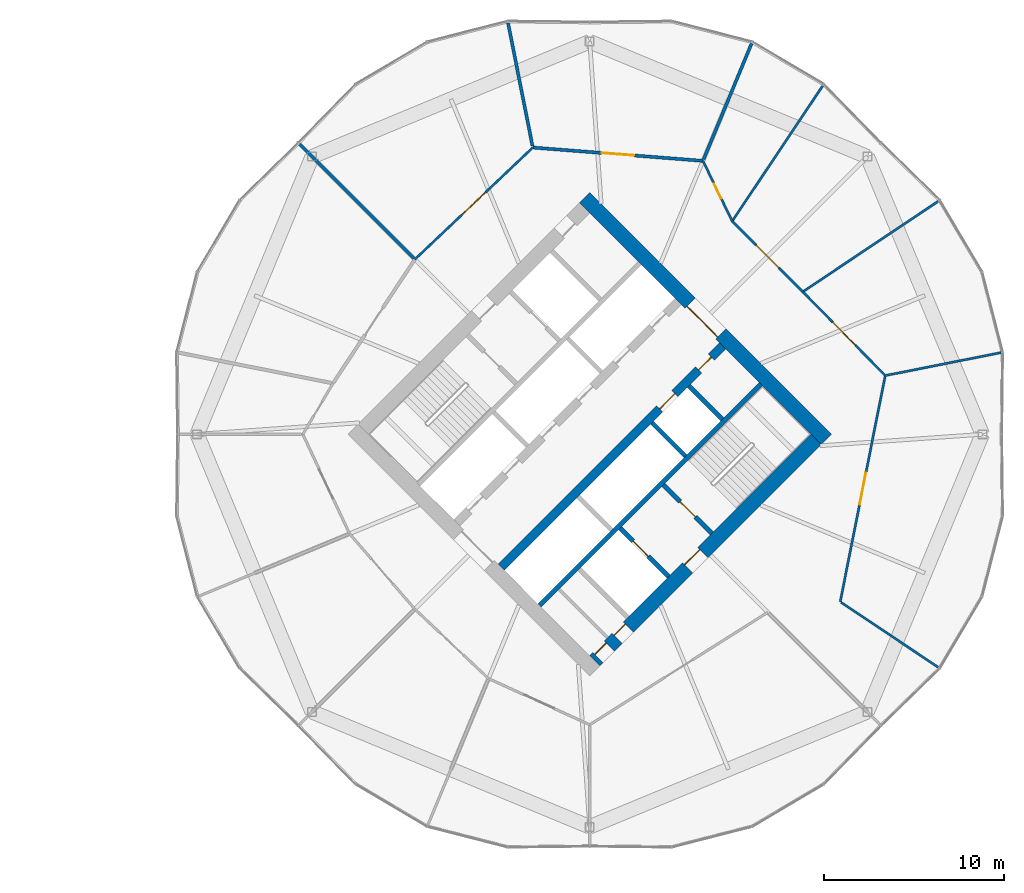
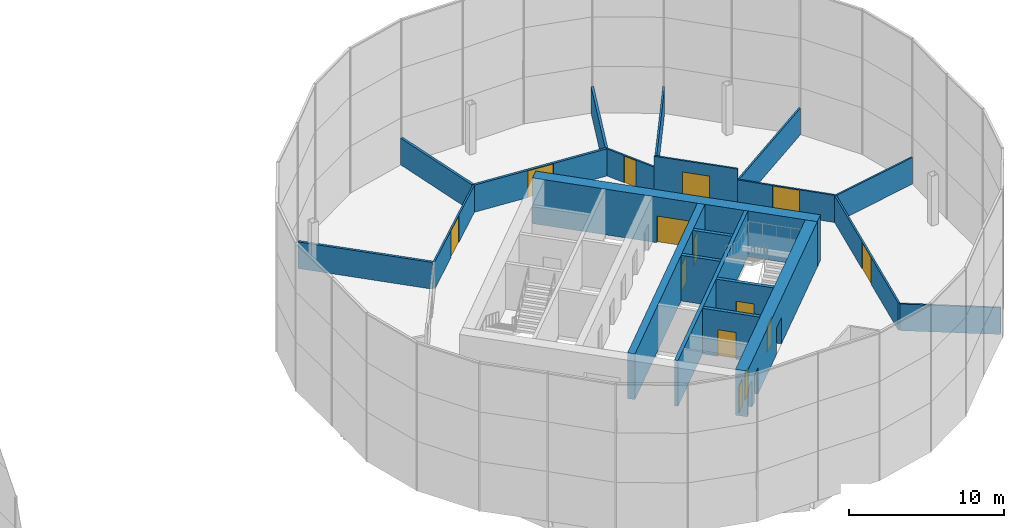
# One storey, part 23 of 25: 21 walls, 14 doors, 14 openings.
"""IFC4 building model written with IfcOpenShell, lengths in metres."""

import ifcopenshell
import ifcopenshell.guid

model = None  # the IFC model being written
_history = None  # IfcOwnerHistory: only IFC2X3 demands one
_inside = {}  # id of a spatial element -> (the spatial element, [elements in it])
_under = {}  # id of a project, library or spatial element -> (it, [spatial elements below it])
_declared = {}  # id of a project -> (the project, [libraries it declares])
_typed = {}  # id of a type object -> (the type object, [elements of that type])
_made_of = {}  # id of a material, layer set ... -> (it, [elements and type objects made of it])


def new_model(schema):
    """Start an empty IFC model of exactly this schema.

    Asked for "IFC4X3", IfcOpenShell would pick the latest addendum, in which some entities
    have other attributes; the version numbers below select the first issue.
    IFC2X3 requires an IfcOwnerHistory on every rooted entity: one is made here for all.
    """
    global model, _history
    if schema == "IFC4X3":
        model = ifcopenshell.file(schema_version=(4, 3, 0, 0))
    else:
        model = ifcopenshell.file(schema=schema)
    _inside.clear()
    _under.clear()
    _declared.clear()
    _typed.clear()
    _made_of.clear()
    _history = None
    if model.schema == "IFC2X3":
        org = make("IfcOrganization", Name="unknown")
        user = make(
            "IfcPersonAndOrganization",
            ThePerson=make("IfcPerson", FamilyName="unknown"),
            TheOrganization=org,
        )
        app = make(
            "IfcApplication",
            ApplicationDeveloper=org,
            Version="unknown",
            ApplicationFullName="unknown",
            ApplicationIdentifier="unknown",
        )
        _history = make(
            "IfcOwnerHistory",
            OwningUser=user,
            OwningApplication=app,
            ChangeAction="ADDED",
            CreationDate=0,
        )
    return model


def make(cls, **values):
    """One entity of the class cls with the attributes given. An attribute that is None is left unset."""
    return model.create_entity(
        cls, **{name: value for name, value in values.items() if value is not None}
    )


def rooted(cls, **values):
    """An entity with a GlobalId (a new one), such as an element, a storey or a relation."""
    return make(cls, GlobalId=ifcopenshell.guid.new(), OwnerHistory=_history, **values)


def si_unit(unit_type, name, prefix=None):
    """IfcSIUnit, for example si_unit("LENGTHUNIT", "METRE", prefix="MILLI")."""
    return make("IfcSIUnit", UnitType=unit_type, Prefix=prefix, Name=name)


def assignment(units):
    """IfcUnitAssignment: the units of a project."""
    return None if units is None else make("IfcUnitAssignment", Units=units)


def point(xyz):
    """IfcCartesianPoint."""
    return None if xyz is None else make("IfcCartesianPoint", Coordinates=xyz)


def direction(xyz):
    """IfcDirection."""
    return None if xyz is None else make("IfcDirection", DirectionRatios=xyz)


def frame(location, z_axis=None, x_axis=None):
    """IfcAxis2Placement3D, a coordinate frame: its origin and axes. An axis left out is left unset."""
    return make(
        "IfcAxis2Placement3D",
        Location=point(location),
        Axis=direction(z_axis),
        RefDirection=direction(x_axis),
    )


def frame_2d(location, x_axis=None):
    """IfcAxis2Placement2D, a coordinate frame in the plane: its origin and x axis."""
    return make(
        "IfcAxis2Placement2D", Location=point(location), RefDirection=direction(x_axis)
    )


def origin():
    """The frame at (0, 0, 0) with its axes left unset."""
    return frame((0.0, 0.0, 0.0))


def place(relative_to, where):
    """IfcLocalPlacement: puts the frame where relative to a parent placement (None: the world)."""
    return make(
        "IfcLocalPlacement", PlacementRelTo=relative_to, RelativePlacement=where
    )


def context(
    kind, dimensions, precision=None, world=None, true_north=None, identifier=None
):
    """IfcGeometricRepresentationContext, for example the 3D "Model" context."""
    return make(
        "IfcGeometricRepresentationContext",
        ContextIdentifier=identifier,
        ContextType=kind,
        CoordinateSpaceDimension=dimensions,
        Precision=precision,
        WorldCoordinateSystem=world,
        TrueNorth=true_north,
    )


def subcontext(parent, identifier, kind, view, scale=None):
    """IfcGeometricRepresentationSubContext, for example "Body" below "Model"."""
    return make(
        "IfcGeometricRepresentationSubContext",
        ContextIdentifier=identifier,
        ContextType=kind,
        ParentContext=parent,
        TargetScale=scale,
        TargetView=view,
    )


def project(units=None, contexts=None):
    """IfcProject with its units and contexts."""
    return rooted(
        "IfcProject",
        Name="project",
        RepresentationContexts=contexts,
        UnitsInContext=assignment(units),
    )


def spatial(cls, under=None, at=None, **own):
    """A site, building, storey or space (cls), placed at a placement, below another one or the project."""
    s = rooted(cls, ObjectPlacement=at, **own)
    if under is not None:
        _under.setdefault(under.id(), (under, []))[1].append(s)
    return s


def profile(cls, at=None, kind="AREA", **sizes):
    """A parametric profile (cls). Its sizes go by their IFC names, for example OverallWidth=200.0."""
    return make(cls, ProfileType=kind, Position=at, **sizes)


def rectangle(**sizes):
    """IfcRectangleProfileDef."""
    return profile("IfcRectangleProfileDef", **sizes)


def extrude(swept, where, along, depth):
    """IfcExtrudedAreaSolid: the profile swept, set in the frame where, extruded along a direction by depth."""
    return make(
        "IfcExtrudedAreaSolid",
        SweptArea=swept,
        Position=where,
        ExtrudedDirection=direction(along),
        Depth=depth,
    )


def shape(context_of_items, identifier, shape_type, items):
    """IfcShapeRepresentation: the items that make up one representation, for example the "Body"."""
    return make(
        "IfcShapeRepresentation",
        ContextOfItems=context_of_items,
        RepresentationIdentifier=identifier,
        RepresentationType=shape_type,
        Items=items,
    )


def material(Name=None, Category=None):
    """IfcMaterial."""
    return make("IfcMaterial", Name=Name, Category=Category)


def layer(
    of_material, thickness, ventilated=None, Name=None, Category=None, Priority=None
):
    """IfcMaterialLayer: one layer of a wall or slab, of a material (None: an air gap)."""
    return make(
        "IfcMaterialLayer",
        Material=of_material,
        LayerThickness=thickness,
        IsVentilated=ventilated,
        Name=Name,
        Category=Category,
        Priority=Priority,
    )


def layer_set(layers, Name=None):
    """IfcMaterialLayerSet."""
    return make("IfcMaterialLayerSet", MaterialLayers=layers, LayerSetName=Name)


def made_of(thing, what):
    """Note that an element or type object is made of a material, layer set ...; save() writes the relation."""
    if what is not None:
        _made_of.setdefault(what.id(), (what, []))[1].append(thing)
    return thing


def type_object(cls, material=None, **own):
    """A type object (cls), such as IfcWallType, which elements share."""
    return made_of(rooted(cls, **own), material)


def element(
    cls,
    number,
    at=None,
    inside=None,
    cuts=None,
    type_object=None,
    material=None,
    context=None,
    identifier="Body",
    shape_type=None,
    held_by="IfcProductDefinitionShape",
    body=None,
    shapes=None,
    **own,
):
    """One element of the class cls, such as IfcWall. Its Tag is "e" and its number.

    at: its placement. inside: the storey or other place that contains it. cuts: it is an
    opening in that element (IfcRelVoidsElement). A single representation is given by context,
    identifier, shape_type and body (its items); several are given by shapes. held_by: the class
    of the entity that holds the representations. save() writes the other relations.
    """
    e = rooted(cls, Tag="e%d" % number, ObjectPlacement=at, **own)
    if body is not None:
        shapes = [shape(context, identifier, shape_type, body)]
    if shapes is not None:
        e.Representation = make(held_by, Representations=shapes)
    if inside is not None:
        _inside.setdefault(inside.id(), (inside, []))[1].append(e)
    if cuts is not None:
        rooted(
            "IfcRelVoidsElement", RelatingBuildingElement=cuts, RelatedOpeningElement=e
        )
    if type_object is not None:
        _typed.setdefault(type_object.id(), (type_object, []))[1].append(e)
    return made_of(e, material)


def fill(opening, filler):
    """IfcRelFillsElement: the door or window that sits in an opening."""
    return rooted(
        "IfcRelFillsElement",
        RelatingOpeningElement=opening,
        RelatedBuildingElement=filler,
    )


def aggregate(whole, parts):
    """IfcRelAggregates: a whole, such as a stair, and the parts it consists of."""
    return rooted("IfcRelAggregates", RelatingObject=whole, RelatedObjects=parts)


def save(model, path):
    """Write the relations noted so far, then the file.

    IfcRelAggregates (storeys below a building ...), IfcRelContainedInSpatialStructure (elements
    in a storey), IfcRelDefinesByType, IfcRelAssociatesMaterial and IfcRelDeclares: one each for
    every whole, place, type object, material and project.
    """
    for whole, parts in _under.values():
        aggregate(whole, parts)
    for where, things in _inside.values():
        rooted(
            "IfcRelContainedInSpatialStructure",
            RelatedElements=things,
            RelatingStructure=where,
        )
    for kind, things in _typed.values():
        rooted("IfcRelDefinesByType", RelatedObjects=things, RelatingType=kind)
    for what, things in _made_of.values():
        rooted("IfcRelAssociatesMaterial", RelatedObjects=things, RelatingMaterial=what)
    for by, libraries in _declared.values():
        rooted("IfcRelDeclares", RelatingContext=by, RelatedDefinitions=libraries)
    model.write(path)


model = new_model("IFC4")

# Units and contexts
model_context = context("Model", 3, precision=1e-05, world=origin(), true_north=direction((0.0, 1.0)))
body_context = subcontext(model_context, "Body", "Model", "MODEL_VIEW")
ifc_project = project(units=[si_unit("LENGTHUNIT", "METRE"), si_unit("AREAUNIT", "SQUARE_METRE"), si_unit("VOLUMEUNIT", "CUBIC_METRE"), si_unit("PLANEANGLEUNIT", "RADIAN"), si_unit("MASSUNIT", "GRAM", prefix="KILO")], contexts=[model_context])

# Site, building, storey
site_placement = place(None, origin())
site = spatial("IfcSite", under=ifc_project, at=site_placement, CompositionType="ELEMENT")
building_placement = place(site_placement, origin())
building = spatial("IfcBuilding", under=site, at=building_placement, Name="Ogive Gate Towers", CompositionType="ELEMENT")
storey_placement = place(building_placement, frame((0.0, 0.0, 44.10009765625)))
storey = spatial("IfcBuildingStorey", under=building, at=storey_placement, Name="L09", CompositionType="ELEMENT", Elevation=44.10009765625)

# Walls
ifc_material_1 = material(Name="Gypsum board acoustic partition")
ifc_layer_1 = layer(ifc_material_1, 0.175048828125)
ifc_layer_set_1 = layer_set([ifc_layer_1], Name="Acoustic partition 175")
wall_type_1 = type_object("IfcWallType", Name="Acoustic partition 175", PredefinedType="PARTITIONING", material=ifc_layer_set_1)
wall_1_placement = place(storey_placement, frame((44.992919921875, 21.711181640625, 0.0), z_axis=(0.0, 0.0, 1.0), x_axis=(-0.382672432362, -0.923884088785, 0.0)))
element("IfcWall", 1, at=wall_1_placement, inside=storey, type_object=wall_type_1, Name="Partition T2-L09-004", PredefinedType="PARTITIONING", context=body_context, shape_type="SweptSolid", body=[
    extrude(rectangle(XDim=6.97119140625, YDim=0.175048828125, at=frame_2d((3.485595703125, 0.0))), origin(), (0.0, 0.0, 1.0), 2.099853515625),
])
wall_2_placement = place(storey_placement, frame((31.4619140625, 22.853271484375, 0.0), z_axis=(0.0, 0.0, 1.0), x_axis=(0.194782491391, -0.980846461505, 0.0)))
element("IfcWall", 2, at=wall_2_placement, inside=storey, type_object=wall_type_1, Name="Partition T2-L09-005", PredefinedType="PARTITIONING", context=body_context, shape_type="SweptSolid", body=[
    extrude(rectangle(XDim=6.971435546875, YDim=0.175048828125, at=frame_2d((3.48583984375, 0.0))), origin(), (0.0, 0.0, 1.0), 2.099853515625),
])
wall_3_placement = place(storey_placement, frame((19.878662109375, 16.121337890625, 0.0), z_axis=(0.0, 0.0, 1.0), x_axis=(0.707106781187, -0.707106781187, 0.0)))
element("IfcWall", 3, at=wall_3_placement, inside=storey, type_object=wall_type_1, Name="Partition T2-L09-006", PredefinedType="PARTITIONING", context=body_context, shape_type="SweptSolid", body=[
    extrude(rectangle(XDim=8.971435546875, YDim=0.175048828125, at=frame_2d((4.48583984375, 0.0))), origin(), (0.0, 0.0, 1.0), 2.099853515625),
])

# Wall, opening, door
wall_4_placement = place(storey_placement, frame((42.291748046875, 15.189453125, 0.0), z_axis=(0.0, 0.0, 1.0), x_axis=(-0.996951230923, 0.078027195004, 0.0)))
wall_4 = element("IfcWall", 4, at=wall_4_placement, inside=storey, type_object=wall_type_1, Name="Partition T2-L09-019", PredefinedType="PARTITIONING", context=body_context, shape_type="SweptSolid", body=[
    extrude(rectangle(XDim=9.483642578125, YDim=0.175048828125, at=frame_2d((4.74169921875, 0.0))), origin(), (0.0, 0.0, 1.0), 2.139892578125),
])
opening_1_placement = place(wall_4_placement, frame((3.842041015625, 0.0, 0.0)))
opening_1 = element("IfcOpeningElement", 5, at=opening_1_placement, cuts=wall_4, Name="Opening T2-L09-D05", PredefinedType="OPENING", context=body_context, shape_type="SweptSolid", body=[
    extrude(rectangle(XDim=1.800048828125, YDim=2.10009765625, at=frame_2d((0.89990234375, 1.050048828125))), frame((0.0, 0.09765625, 0.0), z_axis=(0.0, -1.0, 0.0), x_axis=(1.0, 0.0, 0.0)), (0.0, 0.0, 1.0), 0.195068359375),
])
ifc_material_2 = material(Name="Timber door", Category="wood")
door_type_1 = type_object("IfcDoorType", Name="Door pair 1800", OperationType="NOTDEFINED", PredefinedType="DOOR", material=ifc_material_2)
door_1_placement = place(opening_1_placement, origin())
door_1 = element("IfcDoor", 6, at=door_1_placement, inside=storey, type_object=door_type_1, Name="Door T2-L09-D05", OperationType="DOUBLE_DOOR_DOUBLE_SWING", OverallHeight=2.10009765625, OverallWidth=1.800048828125, PredefinedType="DOOR", context=body_context, shape_type="SweptSolid", body=[
    extrude(rectangle(XDim=1.800048828125, YDim=2.10009765625, at=frame_2d((0.89990234375, 1.050048828125))), frame((0.0, 0.02490234375, 0.0), z_axis=(0.0, -1.0, 0.0), x_axis=(1.0, 0.0, 0.0)), (0.0, 0.0, 1.0), 0.050048828125),
])
fill(opening_1, door_1)

# Wall, openings, doors
ifc_material_3 = material(Name="Concrete C60/75", Category="concrete")
ifc_layer_2 = layer(ifc_material_3, 0.800048828125)
ifc_layer_set_2 = layer_set([ifc_layer_2], Name="Core wall 800 mm")
wall_type_2 = type_object("IfcWallType", Name="Core wall 800 mm", PredefinedType="SHEAR", material=ifc_layer_set_2)
wall_5_placement = place(storey_placement, frame((36.28271484375, -12.58642578125, 0.0), z_axis=(0.0, 0.0, 1.0), x_axis=(0.707106781187, 0.707106781187, 0.0)))
wall_5 = element("IfcWall", 7, at=wall_5_placement, inside=storey, type_object=wall_type_2, Name="T2 L09 Core wall 800 mm", PredefinedType="SHEAR", context=body_context, shape_type="SweptSolid", body=[
    extrude(rectangle(XDim=17.400146484375, YDim=0.800048828125, at=frame_2d((8.7001953125, 0.0))), origin(), (0.0, 0.0, 1.0), 3.599853515625),
])
opening_2_placement = place(wall_5_placement, frame((7.300048828125, 0.0, 0.0)))
opening_2 = element("IfcOpeningElement", 8, at=opening_2_placement, cuts=wall_5, Name="Opening KD-T2-L09-16", PredefinedType="OPENING", context=body_context, shape_type="SweptSolid", body=[
    extrude(rectangle(XDim=1.199951171875, YDim=2.10009765625, at=frame_2d((0.60009765625, 1.050048828125))), frame((0.0, 0.41015625, 0.0), z_axis=(0.0, -1.0, 0.0), x_axis=(1.0, 0.0, 0.0)), (0.0, 0.0, 1.0), 0.820068359375),
])
opening_3_placement = place(wall_5_placement, frame((0.25, 0.0, 0.0)))
opening_3 = element("IfcOpeningElement", 9, at=opening_3_placement, cuts=wall_5, Name="Opening KD-T2-L09-18", PredefinedType="OPENING", context=body_context, shape_type="SweptSolid", body=[
    extrude(rectangle(XDim=0.89990234375, YDim=2.10009765625, at=frame_2d((0.449951171875, 1.050048828125))), frame((0.0, 0.41015625, 0.0), z_axis=(0.0, -1.0, 0.0), x_axis=(1.0, 0.0, 0.0)), (0.0, 0.0, 1.0), 0.820068359375),
])
opening_4_placement = place(wall_5_placement, frame((1.75, 0.0, 0.0)))
opening_4 = element("IfcOpeningElement", 10, at=opening_4_placement, cuts=wall_5, Name="Opening KD-T2-L09-19", PredefinedType="OPENING", context=body_context, shape_type="SweptSolid", body=[
    extrude(rectangle(XDim=0.89990234375, YDim=2.10009765625, at=frame_2d((0.449951171875, 1.050048828125))), frame((0.0, 0.41015625, 0.0), z_axis=(0.0, -1.0, 0.0), x_axis=(1.0, 0.0, 0.0)), (0.0, 0.0, 1.0), 0.820068359375),
])
door_type_2 = type_object("IfcDoorType", Name="Core WC door 900 x 2100", OperationType="NOTDEFINED", PredefinedType="DOOR", material=ifc_material_2)
door_2_placement = place(opening_3_placement, origin())
door_2 = element("IfcDoor", 11, at=door_2_placement, inside=storey, type_object=door_type_2, Name="T2 L09 Core door", OperationType="SINGLE_SWING_LEFT", OverallHeight=2.10009765625, OverallWidth=0.89990234375, PredefinedType="DOOR", context=body_context, shape_type="SweptSolid", body=[
    extrude(rectangle(XDim=0.89990234375, YDim=2.10009765625, at=frame_2d((0.449951171875, 1.050048828125))), frame((0.0, 0.27490234375, 0.0), z_axis=(0.0, -1.0, 0.0), x_axis=(1.0, 0.0, 0.0)), (0.0, 0.0, 1.0), 0.050048828125),
])
fill(opening_3, door_2)
door_3_placement = place(opening_4_placement, origin())
door_3 = element("IfcDoor", 12, at=door_3_placement, inside=storey, type_object=door_type_2, Name="T2 L09 Core door", OperationType="SINGLE_SWING_RIGHT", OverallHeight=2.10009765625, OverallWidth=0.89990234375, PredefinedType="DOOR", context=body_context, shape_type="SweptSolid", body=[
    extrude(rectangle(XDim=0.89990234375, YDim=2.10009765625, at=frame_2d((0.449951171875, 1.050048828125))), frame((0.0, 0.27490234375, 0.0), z_axis=(0.0, -1.0, 0.0), x_axis=(1.0, 0.0, 0.0)), (0.0, 0.0, 1.0), 0.050048828125),
])
fill(opening_4, door_3)
ifc_material_4 = material(Name="Steel fire door", Category="steel")
door_type_3 = type_object("IfcDoorType", Name="Core door FD60S 1200 x 2100", OperationType="NOTDEFINED", PredefinedType="DOOR", material=ifc_material_4)
door_4_placement = place(opening_2_placement, origin())
door_4 = element("IfcDoor", 13, at=door_4_placement, inside=storey, type_object=door_type_3, Name="T2 L09 Fire-fighting lobby door", OperationType="SINGLE_SWING_LEFT", OverallHeight=2.10009765625, OverallWidth=1.199951171875, PredefinedType="DOOR", context=body_context, shape_type="SweptSolid", body=[
    extrude(rectangle(XDim=1.199951171875, YDim=2.10009765625, at=frame_2d((0.60009765625, 1.050048828125))), frame((0.0, 0.27490234375, 0.0), z_axis=(0.0, -1.0, 0.0), x_axis=(1.0, 0.0, 0.0)), (0.0, 0.0, 1.0), 0.050048828125),
])
fill(opening_2, door_4)

# Wall, opening, door
wall_6_placement = place(storey_placement, frame((49.152099609375, -0.28271484375, 0.0), z_axis=(0.0, 0.0, 1.0), x_axis=(-0.707106781187, 0.707106781187, 0.0)))
wall_6 = element("IfcWall", 14, at=wall_6_placement, inside=storey, type_object=wall_type_2, Name="T2 L09 Core wall 800 mm", PredefinedType="SHEAR", context=body_context, shape_type="SweptSolid", body=[
    extrude(rectangle(XDim=18.999755859375, YDim=0.800048828125, at=frame_2d((9.5, 0.0))), origin(), (0.0, 0.0, 1.0), 3.599853515625),
])
opening_5_placement = place(wall_6_placement, frame((8.300048828125, 0.0, 0.0)))
opening_5 = element("IfcOpeningElement", 15, at=opening_5_placement, cuts=wall_6, Name="Opening KD-T2-L09-02", PredefinedType="OPENING", context=body_context, shape_type="SweptSolid", body=[
    extrude(rectangle(XDim=2.39990234375, YDim=2.10009765625, at=frame_2d((1.199951171875, 1.050048828125))), frame((0.0, 0.41015625, 0.0), z_axis=(0.0, -1.0, 0.0), x_axis=(1.0, 0.0, 0.0)), (0.0, 0.0, 1.0), 0.820068359375),
])
door_type_4 = type_object("IfcDoorType", Name="Core double door FD60S 2400 x 2100", OperationType="DOUBLE_DOOR_SINGLE_SWING", PredefinedType="DOOR", material=ifc_material_4)
door_5_placement = place(opening_5_placement, origin())
door_5 = element("IfcDoor", 16, at=door_5_placement, inside=storey, type_object=door_type_4, Name="T2 L09 Core door double", OperationType="DOUBLE_DOOR_SINGLE_SWING", OverallHeight=2.10009765625, OverallWidth=2.39990234375, PredefinedType="DOOR", context=body_context, shape_type="SweptSolid", body=[
    extrude(rectangle(XDim=2.39990234375, YDim=2.10009765625, at=frame_2d((1.199951171875, 1.050048828125))), frame((0.0, 0.27490234375, 0.0), z_axis=(0.0, -1.0, 0.0), x_axis=(1.0, 0.0, 0.0)), (0.0, 0.0, 1.0), 0.050048828125),
])
fill(opening_5, door_5)

# Walls
ifc_material_5 = material(Name="Gypsum board partition")
ifc_layer_3 = layer(ifc_material_5, 0.125)
ifc_layer_set_3 = layer_set([ifc_layer_3], Name="Partition 125")
wall_type_3 = type_object("IfcWallType", Name="Partition 125", PredefinedType="PARTITIONING", material=ifc_layer_set_3)
wall_7_placement = place(storey_placement, frame((58.853271484375, 4.5380859375, 0.0), z_axis=(0.0, 0.0, 1.0), x_axis=(-0.980847162867, -0.194778959584, 0.0)))
element("IfcWall", 17, at=wall_7_placement, inside=storey, type_object=wall_type_3, Name="Partition T2-L09-001", PredefinedType="PARTITIONING", context=body_context, shape_type="SweptSolid", body=[
    extrude(rectangle(XDim=6.49658203125, YDim=0.125, at=frame_2d((3.248291015625, 0.0))), origin(), (0.0, 0.0, 1.0), 2.099853515625),
])
for number, where, z_axis, x_axis, name in (
    (18, (55.36865234375, 12.950927734375, 0.0), (0.0, 0.0, 1.0), (-0.831285496236, -0.555845683394, 0.0), "Partition T2-L09-002"),
    (19, (48.950927734375, 19.36865234375, 0.0), (0.0, 0.0, 1.0), (-0.555845683394, -0.831285496236, 0.0), "Partition T2-L09-003"),
):
    element("IfcWall", number, at=place(storey_placement, frame(where, z_axis=z_axis, x_axis=x_axis)), inside=storey, type_object=wall_type_3, Name=name, PredefinedType="PARTITIONING", context=body_context, shape_type="SweptSolid", body=[
        extrude(rectangle(XDim=8.99658203125, YDim=0.125, at=frame_2d((4.498291015625, 0.0))), origin(), (0.0, 0.0, 1.0), 2.099853515625),
    ])
wall_8_placement = place(storey_placement, frame((55.36865234375, -12.950927734375, 0.0), z_axis=(0.0, 0.0, 1.0), x_axis=(-0.831280540128, 0.555853095345, 0.0)))
element("IfcWall", 20, at=wall_8_placement, inside=storey, type_object=wall_type_3, Name="Partition T2-L09-014", PredefinedType="PARTITIONING", context=body_context, shape_type="SweptSolid", body=[
    extrude(rectangle(XDim=6.49658203125, YDim=0.125, at=frame_2d((3.248291015625, 0.0))), origin(), (0.0, 0.0, 1.0), 2.099853515625),
])

# Wall, opening, door
wall_9_placement = place(storey_placement, frame((49.916259765625, -9.30517578125, 0.0), z_axis=(0.0, 0.0, 1.0), x_axis=(0.195405199442, 0.980722594841, 0.0)))
wall_9 = element("IfcWall", 21, at=wall_9_placement, inside=storey, type_object=wall_type_3, Name="Partition T2-L09-015", PredefinedType="PARTITIONING", context=body_context, shape_type="SweptSolid", body=[
    extrude(rectangle(XDim=12.812744140625, YDim=0.125, at=frame_2d((6.40625, 0.0))), origin(), (0.0, 0.0, 1.0), 2.139892578125),
])
opening_6_placement = place(wall_9_placement, frame((5.506103515625, 0.0, 0.0)))
opening_6 = element("IfcOpeningElement", 22, at=opening_6_placement, cuts=wall_9, Name="Opening T2-L09-D01", PredefinedType="OPENING", context=body_context, shape_type="SweptSolid", body=[
    extrude(rectangle(XDim=1.800048828125, YDim=2.10009765625, at=frame_2d((0.89990234375, 1.050048828125))), frame((0.0, 0.072509765625, 0.0), z_axis=(0.0, -1.0, 0.0), x_axis=(1.0, 0.0, 0.0)), (0.0, 0.0, 1.0), 0.14501953125),
])
door_6_placement = place(opening_6_placement, origin())
door_6 = element("IfcDoor", 23, at=door_6_placement, inside=storey, type_object=door_type_1, Name="Door T2-L09-D01", OperationType="DOUBLE_DOOR_DOUBLE_SWING", OverallHeight=2.10009765625, OverallWidth=1.800048828125, PredefinedType="DOOR", context=body_context, shape_type="SweptSolid", body=[
    extrude(rectangle(XDim=1.800048828125, YDim=2.10009765625, at=frame_2d((0.89990234375, 1.050048828125))), frame((0.0, 0.02490234375, 0.0), z_axis=(0.0, -1.0, 0.0), x_axis=(1.0, 0.0, 0.0)), (0.0, 0.0, 1.0), 0.050048828125),
])
fill(opening_6, door_6)

wall_10_placement = place(storey_placement, frame((52.419921875, 3.260498046875, 0.0), z_axis=(0.0, 0.0, 1.0), x_axis=(-0.701496798252, 0.712672605087, 0.0)))
wall_10 = element("IfcWall", 24, at=wall_10_placement, inside=storey, type_object=wall_type_3, Name="Partition T2-L09-016", PredefinedType="PARTITIONING", context=body_context, shape_type="SweptSolid", body=[
    extrude(rectangle(XDim=6.53173828125, YDim=0.125, at=frame_2d((3.265869140625, 0.0))), origin(), (0.0, 0.0, 1.0), 2.139892578125),
])
opening_7_placement = place(wall_10_placement, frame((2.365966796875, 0.0, 0.0)))
opening_7 = element("IfcOpeningElement", 25, at=opening_7_placement, cuts=wall_10, Name="Opening T2-L09-D02", PredefinedType="OPENING", context=body_context, shape_type="SweptSolid", body=[
    extrude(rectangle(XDim=1.800048828125, YDim=2.10009765625, at=frame_2d((0.89990234375, 1.050048828125))), frame((0.0, 0.072509765625, 0.0), z_axis=(0.0, -1.0, 0.0), x_axis=(1.0, 0.0, 0.0)), (0.0, 0.0, 1.0), 0.14501953125),
])
door_7_placement = place(opening_7_placement, origin())
door_7 = element("IfcDoor", 26, at=door_7_placement, inside=storey, type_object=door_type_1, Name="Door T2-L09-D02", OperationType="DOUBLE_DOOR_DOUBLE_SWING", OverallHeight=2.10009765625, OverallWidth=1.800048828125, PredefinedType="DOOR", context=body_context, shape_type="SweptSolid", body=[
    extrude(rectangle(XDim=1.800048828125, YDim=2.10009765625, at=frame_2d((0.89990234375, 1.050048828125))), frame((0.0, 0.02490234375, 0.0), z_axis=(0.0, -1.0, 0.0), x_axis=(1.0, 0.0, 0.0)), (0.0, 0.0, 1.0), 0.050048828125),
])
fill(opening_7, door_7)

wall_11_placement = place(storey_placement, frame((47.837890625, 7.91552734375, 0.0), z_axis=(0.0, 0.0, 1.0), x_axis=(-0.707106781187, 0.707106781187, 0.0)))
wall_11 = element("IfcWall", 27, at=wall_11_placement, inside=storey, type_object=wall_type_3, Name="Partition T2-L09-017", PredefinedType="PARTITIONING", context=body_context, shape_type="SweptSolid", body=[
    extrude(rectangle(XDim=5.547119140625, YDim=0.125, at=frame_2d((2.7734375, 0.0))), origin(), (0.0, 0.0, 1.0), 3.0),
])
opening_8_placement = place(wall_11_placement, frame((1.8740234375, 0.0, 0.0)))
opening_8 = element("IfcOpeningElement", 28, at=opening_8_placement, cuts=wall_11, Name="Opening T2-L09-D03", PredefinedType="OPENING", context=body_context, shape_type="SweptSolid", body=[
    extrude(rectangle(XDim=1.800048828125, YDim=2.10009765625, at=frame_2d((0.89990234375, 1.050048828125))), frame((0.0, 0.072509765625, 0.0), z_axis=(0.0, -1.0, 0.0), x_axis=(1.0, 0.0, 0.0)), (0.0, 0.0, 1.0), 0.14501953125),
])
door_8_placement = place(opening_8_placement, origin())
door_8 = element("IfcDoor", 29, at=door_8_placement, inside=storey, type_object=door_type_1, Name="Door T2-L09-D03", OperationType="DOUBLE_DOOR_DOUBLE_SWING", OverallHeight=2.10009765625, OverallWidth=1.800048828125, PredefinedType="DOOR", context=body_context, shape_type="SweptSolid", body=[
    extrude(rectangle(XDim=1.800048828125, YDim=2.10009765625, at=frame_2d((0.89990234375, 1.050048828125))), frame((0.0, 0.02490234375, 0.0), z_axis=(0.0, -1.0, 0.0), x_axis=(1.0, 0.0, 0.0)), (0.0, 0.0, 1.0), 0.050048828125),
])
fill(opening_8, door_8)

wall_12_placement = place(storey_placement, frame((43.91552734375, 11.837890625, 0.0), z_axis=(0.0, 0.0, 1.0), x_axis=(-0.436008098367, 0.8999427416, 0.0)))
wall_12 = element("IfcWall", 30, at=wall_12_placement, inside=storey, type_object=wall_type_3, Name="Partition T2-L09-018", PredefinedType="PARTITIONING", context=body_context, shape_type="SweptSolid", body=[
    extrude(rectangle(XDim=3.72412109375, YDim=0.125, at=frame_2d((1.862060546875, 0.0))), origin(), (0.0, 0.0, 1.0), 2.139892578125),
])
opening_9_placement = place(wall_12_placement, frame((1.412109375, 0.0, 0.0)))
opening_9 = element("IfcOpeningElement", 31, at=opening_9_placement, cuts=wall_12, Name="Opening T2-L09-D04", PredefinedType="OPENING", context=body_context, shape_type="SweptSolid", body=[
    extrude(rectangle(XDim=0.89990234375, YDim=2.10009765625, at=frame_2d((0.449951171875, 1.050048828125))), frame((0.0, 0.072509765625, 0.0), z_axis=(0.0, -1.0, 0.0), x_axis=(1.0, 0.0, 0.0)), (0.0, 0.0, 1.0), 0.14501953125),
])
door_type_5 = type_object("IfcDoorType", Name="Door 900", OperationType="NOTDEFINED", PredefinedType="DOOR", material=ifc_material_2)
door_9_placement = place(opening_9_placement, origin())
door_9 = element("IfcDoor", 32, at=door_9_placement, inside=storey, type_object=door_type_5, Name="Door T2-L09-D04", OperationType="SINGLE_SWING_RIGHT", OverallHeight=2.10009765625, OverallWidth=0.89990234375, PredefinedType="DOOR", context=body_context, shape_type="SweptSolid", body=[
    extrude(rectangle(XDim=0.89990234375, YDim=2.10009765625, at=frame_2d((0.449951171875, 1.050048828125))), frame((0.0, 0.02490234375, 0.0), z_axis=(0.0, -1.0, 0.0), x_axis=(1.0, 0.0, 0.0)), (0.0, 0.0, 1.0), 0.050048828125),
])
fill(opening_9, door_9)

wall_13_placement = place(storey_placement, frame((32.8369140625, 15.929443359375, 0.0), z_axis=(0.0, 0.0, 1.0), x_axis=(-0.725607326649, -0.688109008453, 0.0)))
wall_13 = element("IfcWall", 33, at=wall_13_placement, inside=storey, type_object=wall_type_3, Name="Partition T2-L09-020", PredefinedType="PARTITIONING", context=body_context, shape_type="SweptSolid", body=[
    extrude(rectangle(XDim=9.0302734375, YDim=0.125, at=frame_2d((4.51513671875, 0.0))), origin(), (0.0, 0.0, 1.0), 2.139892578125),
])
opening_10_placement = place(wall_13_placement, frame((3.614990234375, 0.0, 0.0)))
opening_10 = element("IfcOpeningElement", 34, at=opening_10_placement, cuts=wall_13, Name="Opening T2-L09-D06", PredefinedType="OPENING", context=body_context, shape_type="SweptSolid", body=[
    extrude(rectangle(XDim=1.800048828125, YDim=2.10009765625, at=frame_2d((0.89990234375, 1.050048828125))), frame((0.0, 0.072509765625, 0.0), z_axis=(0.0, -1.0, 0.0), x_axis=(1.0, 0.0, 0.0)), (0.0, 0.0, 1.0), 0.14501953125),
])
door_10_placement = place(opening_10_placement, origin())
door_10 = element("IfcDoor", 35, at=door_10_placement, inside=storey, type_object=door_type_1, Name="Door T2-L09-D06", OperationType="DOUBLE_DOOR_DOUBLE_SWING", OverallHeight=2.10009765625, OverallWidth=1.800048828125, PredefinedType="DOOR", context=body_context, shape_type="SweptSolid", body=[
    extrude(rectangle(XDim=1.800048828125, YDim=2.10009765625, at=frame_2d((0.89990234375, 1.050048828125))), frame((0.0, 0.02490234375, 0.0), z_axis=(0.0, -1.0, 0.0), x_axis=(1.0, 0.0, 0.0)), (0.0, 0.0, 1.0), 0.050048828125),
])
fill(opening_10, door_10)

# Wall
ifc_layer_4 = layer(ifc_material_3, 0.25)
ifc_layer_set_4 = layer_set([ifc_layer_4], Name="Shaft wall 250 mm")
wall_type_4 = type_object("IfcWallType", Name="Shaft wall 250 mm", PredefinedType="SHEAR", material=ifc_layer_set_4)
wall_14_placement = place(storey_placement, frame((33.206787109375, -9.510498046875, 0.0), z_axis=(0.0, 0.0, 1.0), x_axis=(0.707106781187, 0.707106781187, 0.0)))
element("IfcWall", 36, at=wall_14_placement, inside=storey, type_object=wall_type_4, Name="T2 L09 Shaft wall 250 mm", PredefinedType="SHEAR", context=body_context, shape_type="SweptSolid", body=[
    extrude(rectangle(XDim=17.400146484375, YDim=0.25, at=frame_2d((8.7001953125, 0.0))), origin(), (0.0, 0.0, 1.0), 3.599853515625),
])

# Wall, opening, door
wall_15_placement = place(storey_placement, frame((40.384033203125, -7.919677734375, 0.0), z_axis=(0.0, 0.0, 1.0), x_axis=(-0.707074866995, 0.707138693938, 0.0)))
wall_15 = element("IfcWall", 37, at=wall_15_placement, inside=storey, type_object=wall_type_4, Name="T2 L09 Shaft wall 250 mm", PredefinedType="SHEAR", context=body_context, shape_type="SweptSolid", body=[
    extrude(rectangle(XDim=3.824951171875, YDim=0.25, at=frame_2d((1.91259765625, 0.0))), origin(), (0.0, 0.0, 1.0), 3.599853515625),
])
opening_11_placement = place(wall_15_placement, frame((1.60009765625, 0.0, 0.0)))
opening_11 = element("IfcOpeningElement", 38, at=opening_11_placement, cuts=wall_15, Name="Opening LD-T2-L09-11", PredefinedType="OPENING", context=body_context, shape_type="SweptSolid", body=[
    extrude(rectangle(XDim=1.199951171875, YDim=2.10009765625, at=frame_2d((0.60009765625, 1.050048828125))), frame((0.0, 0.135009765625, 0.0), z_axis=(0.0, -1.0, 0.0), x_axis=(1.0, 0.0, 0.0)), (0.0, 0.0, 1.0), 0.27001953125),
])
ifc_material_6 = material(Name="Stainless steel landing door", Category="steel")
door_type_6 = type_object("IfcDoorType", Name="Landing door 1200 x 2100", OperationType="SLIDING_TO_LEFT", PredefinedType="DOOR", material=ifc_material_6)
door_11_placement = place(opening_11_placement, origin())
door_11 = element("IfcDoor", 39, at=door_11_placement, inside=storey, type_object=door_type_6, Name="T2 L09 Lift landing door FF2", OperationType="SLIDING_TO_LEFT", OverallHeight=2.10009765625, OverallWidth=1.199951171875, PredefinedType="DOOR", context=body_context, shape_type="SweptSolid", body=[
    extrude(rectangle(XDim=1.199951171875, YDim=2.10009765625, at=frame_2d((0.60009765625, 1.050048828125))), frame((0.0, 0.02490234375, 0.0), z_axis=(0.0, -1.0, 0.0), x_axis=(1.0, 0.0, 0.0)), (0.0, 0.0, 1.0), 0.050048828125),
])
fill(opening_11, door_11)

wall_16_placement = place(storey_placement, frame((42.7880859375, -5.515380859375, 0.0), z_axis=(0.0, 0.0, 1.0), x_axis=(-0.707106781187, 0.707106781187, 0.0)))
wall_16 = element("IfcWall", 40, at=wall_16_placement, inside=storey, type_object=wall_type_4, Name="T2 L09 Shaft wall 250 mm", PredefinedType="SHEAR", context=body_context, shape_type="SweptSolid", body=[
    extrude(rectangle(XDim=3.824951171875, YDim=0.25, at=frame_2d((1.91259765625, 0.0))), origin(), (0.0, 0.0, 1.0), 3.599853515625),
])
opening_12_placement = place(wall_16_placement, frame((1.300048828125, 0.0, 0.0)))
opening_12 = element("IfcOpeningElement", 41, at=opening_12_placement, cuts=wall_16, Name="Opening KD-T2-L09-14", PredefinedType="OPENING", context=body_context, shape_type="SweptSolid", body=[
    extrude(rectangle(XDim=1.199951171875, YDim=2.10009765625, at=frame_2d((0.60009765625, 1.050048828125))), frame((0.0, 0.135009765625, 0.0), z_axis=(0.0, -1.0, 0.0), x_axis=(1.0, 0.0, 0.0)), (0.0, 0.0, 1.0), 0.27001953125),
])
door_12_placement = place(opening_12_placement, origin())
door_12 = element("IfcDoor", 42, at=door_12_placement, inside=storey, type_object=door_type_3, Name="T2 L09 Stair door", OperationType="SINGLE_SWING_LEFT", OverallHeight=2.10009765625, OverallWidth=1.199951171875, PredefinedType="DOOR", context=body_context, shape_type="SweptSolid", body=[
    extrude(rectangle(XDim=1.199951171875, YDim=2.10009765625, at=frame_2d((0.60009765625, 1.050048828125))), frame((0.0, 0.02490234375, 0.0), z_axis=(0.0, -1.0, 0.0), x_axis=(1.0, 0.0, 0.0)), (0.0, 0.0, 1.0), 0.050048828125),
])
fill(opening_12, door_12)

# Walls
for number, where, z_axis, x_axis, name in (
    (43, (41.321044921875, -1.2197265625, 0.0), (0.0, 0.0, 1.0), (-0.707106781187, 0.707106781187, 0.0), "T2 L09 Shaft wall 250 mm"),
    (44, (43.37158203125, 0.830810546875, 0.0), (0.0, 0.0, 1.0), (-0.707106781187, 0.707106781187, 0.0), "T2 L09 Shaft wall 250 mm"),
):
    element("IfcWall", number, at=place(storey_placement, frame(where, z_axis=z_axis, x_axis=x_axis)), inside=storey, type_object=wall_type_4, Name=name, PredefinedType="SHEAR", context=body_context, shape_type="SweptSolid", body=[
        extrude(rectangle(XDim=2.625, YDim=0.25, at=frame_2d((1.3125, 0.0))), origin(), (0.0, 0.0, 1.0), 3.599853515625),
    ])

# Wall, openings, doors
ifc_layer_5 = layer(ifc_material_3, 0.5)
ifc_layer_set_5 = layer_set([ifc_layer_5], Name="Spine wall 500 mm")
wall_type_5 = type_object("IfcWallType", Name="Spine wall 500 mm", PredefinedType="SHEAR", material=ifc_layer_set_5)
wall_17_placement = place(storey_placement, frame((31.085693359375, -7.389404296875, 0.0), z_axis=(0.0, 0.0, 1.0), x_axis=(0.707106781187, 0.707106781187, 0.0)))
wall_17 = element("IfcWall", 45, at=wall_17_placement, inside=storey, type_object=wall_type_5, Name="T2 L09 Spine wall 500 mm", PredefinedType="SHEAR", context=body_context, shape_type="SweptSolid", body=[
    extrude(rectangle(XDim=17.400146484375, YDim=0.5, at=frame_2d((8.7001953125, 0.0))), origin(), (0.0, 0.0, 1.0), 3.599853515625),
])
opening_13_placement = place(wall_17_placement, frame((12.449951171875, 0.0, 0.0)))
opening_13 = element("IfcOpeningElement", 46, at=opening_13_placement, cuts=wall_17, Name="Opening LD-T2-L09-09", PredefinedType="OPENING", context=body_context, shape_type="SweptSolid", body=[
    extrude(rectangle(XDim=1.199951171875, YDim=2.10009765625, at=frame_2d((0.60009765625, 1.050048828125))), frame((0.0, 0.260009765625, 0.0), z_axis=(0.0, -1.0, 0.0), x_axis=(1.0, 0.0, 0.0)), (0.0, 0.0, 1.0), 0.52001953125),
])
opening_14_placement = place(wall_17_placement, frame((15.5, 0.0, 0.0)))
opening_14 = element("IfcOpeningElement", 47, at=opening_14_placement, cuts=wall_17, Name="Opening KD-T2-L09-12", PredefinedType="OPENING", context=body_context, shape_type="SweptSolid", body=[
    extrude(rectangle(XDim=1.0, YDim=2.10009765625, at=frame_2d((0.5, 1.050048828125))), frame((0.0, 0.260009765625, 0.0), z_axis=(0.0, -1.0, 0.0), x_axis=(1.0, 0.0, 0.0)), (0.0, 0.0, 1.0), 0.52001953125),
])
door_type_7 = type_object("IfcDoorType", Name="Core door FD60S 1000 x 2100", OperationType="NOTDEFINED", PredefinedType="DOOR", material=ifc_material_4)
door_13_placement = place(opening_14_placement, origin())
door_13 = element("IfcDoor", 48, at=door_13_placement, inside=storey, type_object=door_type_7, Name="T2 L09 Core door", OperationType="SINGLE_SWING_LEFT", OverallHeight=2.10009765625, OverallWidth=1.0, PredefinedType="DOOR", context=body_context, shape_type="SweptSolid", body=[
    extrude(rectangle(XDim=1.0, YDim=2.10009765625, at=frame_2d((0.5, 1.050048828125))), frame((0.0, 0.02490234375, 0.0), z_axis=(0.0, -1.0, 0.0), x_axis=(1.0, 0.0, 0.0)), (0.0, 0.0, 1.0), 0.050048828125),
])
fill(opening_14, door_13)
door_14_placement = place(opening_13_placement, origin())
door_14 = element("IfcDoor", 49, at=door_14_placement, inside=storey, type_object=door_type_6, Name="T2 L09 Lift landing door SVC", OperationType="SLIDING_TO_LEFT", OverallHeight=2.10009765625, OverallWidth=1.199951171875, PredefinedType="DOOR", context=body_context, shape_type="SweptSolid", body=[
    extrude(rectangle(XDim=1.199951171875, YDim=2.10009765625, at=frame_2d((0.60009765625, 1.050048828125))), frame((0.0, 0.02490234375, 0.0), z_axis=(0.0, -1.0, 0.0), x_axis=(1.0, 0.0, 0.0)), (0.0, 0.0, 1.0), 0.050048828125),
])
fill(opening_13, door_14)

save(model, "model.ifc")
